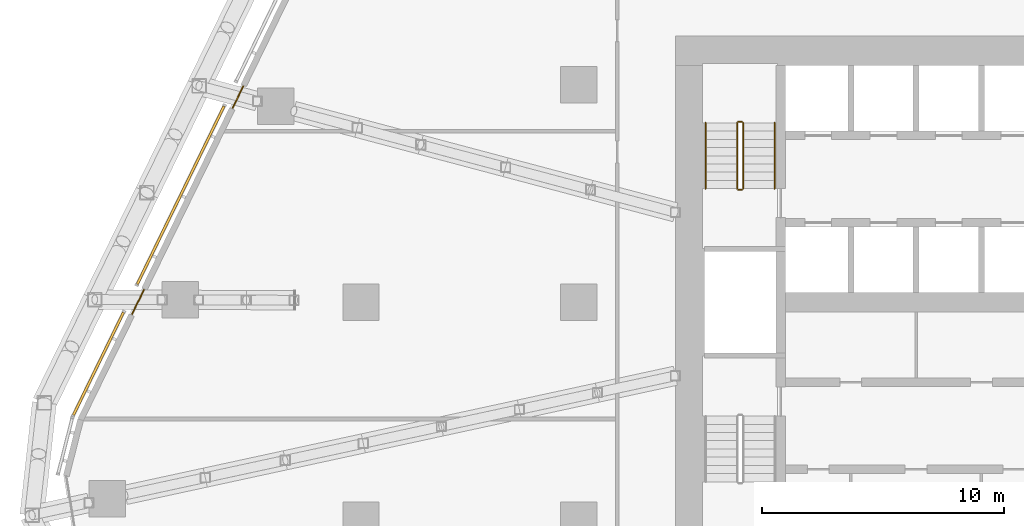
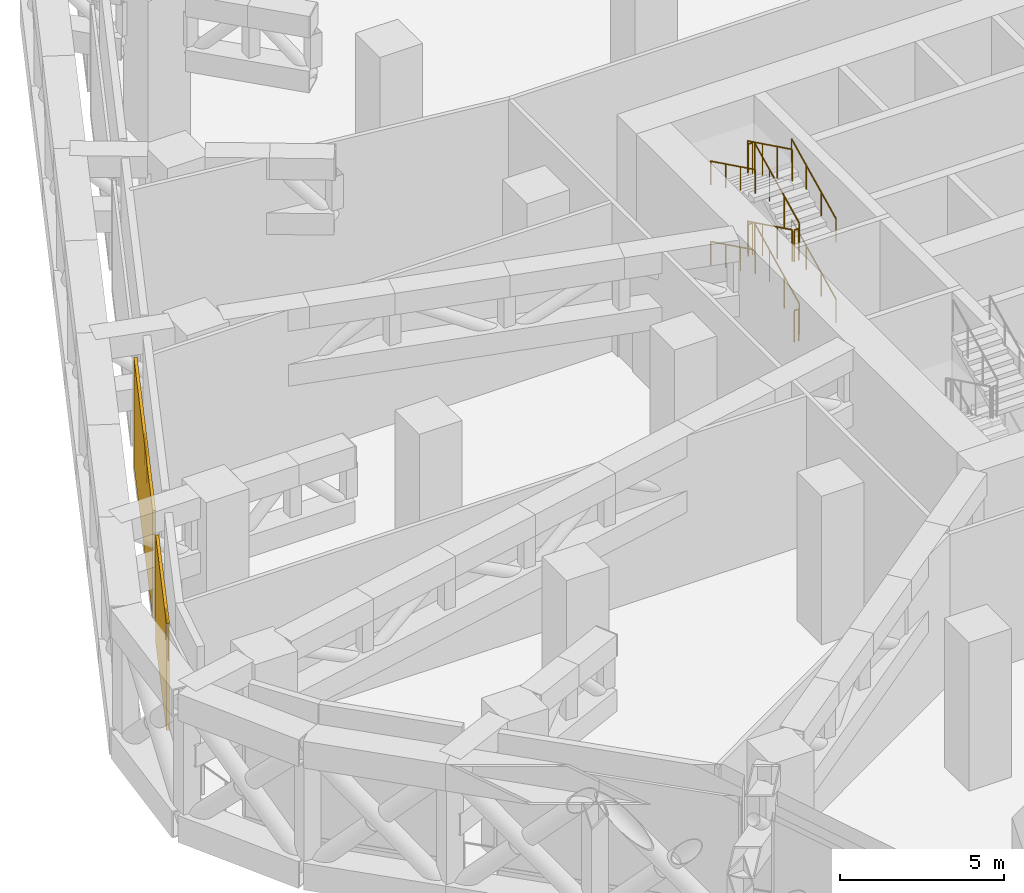
# One storey, part 34 of 38: 14 railings, 2 coverings, 1 element without a shape of its own.
"""IFC4 building model written with IfcOpenShell, lengths in metres."""

from ifc_helpers import new_model, si_unit, direction, frame, origin, origin_2d, place, context, subcontext, project, spatial, rectangle, circle, extrude, material, layer, layer_set, type_object, element, aggregate, save


model = new_model("IFC4")

# Units and contexts
model_context = context("Model", 3, precision=1e-05, world=origin(), true_north=direction((0.0, 1.0)))
body_context = subcontext(model_context, "Body", "Model", "MODEL_VIEW")
ifc_project = project(units=[si_unit("LENGTHUNIT", "METRE"), si_unit("AREAUNIT", "SQUARE_METRE"), si_unit("VOLUMEUNIT", "CUBIC_METRE"), si_unit("PLANEANGLEUNIT", "RADIAN"), si_unit("MASSUNIT", "GRAM", prefix="KILO")], contexts=[model_context])

# Site, building, storey
site_placement = place(None, origin())
site = spatial("IfcSite", under=ifc_project, at=site_placement, CompositionType="ELEMENT")
building_placement = place(site_placement, origin())
building = spatial("IfcBuilding", under=site, at=building_placement, Name="Dongbaek Canopy Tower", CompositionType="ELEMENT")
storey_placement = place(building_placement, frame((0.0, 0.0, 89.199951171875)))
storey = spatial("IfcBuildingStorey", under=building, at=storey_placement, Name="L18", CompositionType="ELEMENT", Elevation=89.199951171875)

# Curtain wall, coverings
ifc_material_1 = material(Name="Aluminium 6063-T6 pale anodised", Category="aluminium")
ifc_layer_1 = layer(ifc_material_1, 0.14990234375)
ifc_layer_set_1 = layer_set([ifc_layer_1], Name="CW-7 louvre curtain wall")
curtain_wall_type = type_object("IfcCurtainWallType", Name="CW-7 louvre curtain wall", PredefinedType="NOTDEFINED", material=ifc_layer_set_1)
curtain_wall_placement = place(storey_placement, origin())
curtain_wall = element("IfcCurtainWall", 1, at=curtain_wall_placement, inside=storey, type_object=curtain_wall_type, Name="CW-7 louvre wall L18 F2", PredefinedType="NOTDEFINED")
ifc_material_2 = material(Name="Aluminium 6063-T6 pale metal louvre blades", Category="aluminium")
ifc_layer_2 = layer(ifc_material_2, 0.10009765625)
ifc_layer_set_2 = layer_set([ifc_layer_2], Name="Louvre LV bank 100 x 4000")
covering_type = type_object("IfcCoveringType", Name="Louvre LV bank 100 x 4000", PredefinedType="CLADDING", material=ifc_layer_set_2)
covering_1_placement = place(storey_placement, frame((-34.450439453125, 4.43017578125, 0.775146484375), z_axis=(0.0, 0.0, 1.0), x_axis=(-0.438327995219, -0.898815091444, 0.0)))
covering_1 = element("IfcCovering", 2, at=covering_1_placement, type_object=covering_type, Name="Louvre L18 F2.4.1", PredefinedType="CLADDING", context=body_context, shape_type="SweptSolid", body=[
    extrude(rectangle(XDim=8.185791015625, YDim=0.10009765625, at=origin_2d()), origin(), (0.0, 0.0, 1.0), 4.0),
])
covering_2_placement = place(storey_placement, frame((-37.84814453125, -2.537109375, 0.775146484375), z_axis=(0.0, 0.0, 1.0), x_axis=(-0.438327995219, -0.898815091444, 0.0)))
covering_2 = element("IfcCovering", 3, at=covering_2_placement, type_object=covering_type, Name="Louvre L18 F2.5.1", PredefinedType="CLADDING", context=body_context, shape_type="SweptSolid", body=[
    extrude(rectangle(XDim=4.72607421875, YDim=0.10009765625, at=origin_2d()), origin(), (0.0, 0.0, 1.0), 4.0),
])
aggregate(curtain_wall, [covering_1, covering_2])

# Railings
ifc_material_3 = material(Name="Stainless steel", Category="steel")
railing_type_1 = type_object("IfcRailingType", Name="Plant opening guard 1200", PredefinedType="GUARDRAIL", material=ifc_material_3)
railing_1_placement = place(storey_placement, frame((-31.869140625, 8.9248046875, 0.0)))
element("IfcRailing", 4, at=railing_1_placement, inside=storey, type_object=railing_type_1, Name="Plant opening guard L18 F2 3", PredefinedType="GUARDRAIL", context=body_context, shape_type="SweptSolid", body=[
    extrude(circle(Radius=0.02392578125, at=origin_2d()), frame((0.0, 0.0, 1.17578125), z_axis=(-0.438355164704, -0.898801841107, 0.0), x_axis=(0.898801841107, -0.438355164704, 0.0)), (0.0, 0.0, 1.0), 0.983642578125),
    extrude(circle(Radius=0.02099609375, at=origin_2d()), origin(), (0.0, 0.0, 1.0), 1.15185546875),
    extrude(circle(Radius=0.02099609375, at=origin_2d()), frame((-0.43115234375, -0.884033203125, 0.0)), (0.0, 0.0, 1.0), 1.15185546875),
])
railing_2_placement = place(storey_placement, frame((-35.971435546875, 0.512451171875, 0.0)))
element("IfcRailing", 5, at=railing_2_placement, inside=storey, type_object=railing_type_1, Name="Plant opening guard L18 F2 4", PredefinedType="GUARDRAIL", context=body_context, shape_type="SweptSolid", body=[
    extrude(circle(Radius=0.02392578125, at=origin_2d()), frame((0.0, 0.0, 1.17578125), z_axis=(-0.438358367145, -0.898800279235, 0.0), x_axis=(0.898800279235, -0.438358367145, 0.0)), (0.0, 0.0, 1.0), 1.10546875),
    extrude(circle(Radius=0.02099609375, at=origin_2d()), origin(), (0.0, 0.0, 1.0), 1.15185546875),
    extrude(circle(Radius=0.02099609375, at=origin_2d()), frame((-0.484619140625, -0.99365234375, 0.0)), (0.0, 0.0, 1.0), 1.15185546875),
])
ifc_material_4 = material(Name="Stainless steel tube and balusters", Category="steel")
railing_type_2 = type_object("IfcRailingType", Name="Stair guard 1200", PredefinedType="GUARDRAIL", material=ifc_material_4)
railing_3_placement = place(storey_placement, frame((-11.199951171875, 4.699951171875, 0.166748046875)))
element("IfcRailing", 6, at=railing_3_placement, inside=storey, type_object=railing_type_2, Name="L18 ST-C stair guard 1", PredefinedType="GUARDRAIL", context=body_context, shape_type="SweptSolid", body=[
    extrude(circle(Radius=0.02392578125, at=origin_2d()), frame((0.0, 0.0, 1.17578125), z_axis=(0.0, 0.897929466783, 0.4401393787), x_axis=(-1.0, 0.0, 0.0)), (0.0, 0.0, 1.0), 3.029052734375),
    extrude(circle(Radius=0.02099609375, at=origin_2d()), origin(), (0.0, 0.0, 1.0), 1.15185546875),
    extrude(circle(Radius=0.02099609375, at=origin_2d()), frame((0.0, 0.90673828125, 0.4443359375)), (0.0, 0.0, 1.0), 1.15185546875),
    extrude(circle(Radius=0.02099609375, at=origin_2d()), frame((0.0, 1.813232421875, 0.888916015625)), (0.0, 0.0, 1.0), 1.15185546875),
    extrude(circle(Radius=0.02099609375, at=origin_2d()), frame((0.0, 2.719970703125, 1.333251953125)), (0.0, 0.0, 1.0), 1.15185546875),
])
railing_4_placement = place(storey_placement, frame((-11.25, 7.469970703125, 1.5)))
element("IfcRailing", 7, at=railing_4_placement, inside=storey, type_object=railing_type_2, Name="L18 ST-C stair guard 2", PredefinedType="GUARDRAIL", context=body_context, shape_type="SweptSolid", body=[
    extrude(circle(Radius=0.02392578125, at=origin_2d()), frame((0.0, 0.0, 1.17578125), z_axis=(-1.0, 0.0, 0.0), x_axis=(0.0, -1.0, 0.0)), (0.0, 0.0, 1.0), 0.14990234375),
    extrude(circle(Radius=0.02099609375, at=origin_2d()), origin(), (0.0, 0.0, 1.0), 1.15185546875),
    extrude(circle(Radius=0.02099609375, at=origin_2d()), frame((-0.14990234375, 0.0, 0.0)), (0.0, 0.0, 1.0), 1.15185546875),
])
railing_5_placement = place(storey_placement, frame((-11.449951171875, 7.419921875, 1.666748046875)))
element("IfcRailing", 8, at=railing_5_placement, inside=storey, type_object=railing_type_2, Name="L18 ST-C stair guard 3", PredefinedType="GUARDRAIL", context=body_context, shape_type="SweptSolid", body=[
    extrude(circle(Radius=0.02392578125, at=origin_2d()), frame((0.0, 0.0, 1.17578125), z_axis=(0.0, -0.897929466783, 0.4401393787), x_axis=(1.0, 0.0, 0.0)), (0.0, 0.0, 1.0), 3.029052734375),
    extrude(circle(Radius=0.02099609375, at=origin_2d()), origin(), (0.0, 0.0, 1.0), 1.15185546875),
    extrude(circle(Radius=0.02099609375, at=origin_2d()), frame((0.0, -0.90673828125, 0.4443359375)), (0.0, 0.0, 1.0), 1.15185546875),
    extrude(circle(Radius=0.02099609375, at=origin_2d()), frame((0.0, -1.813232421875, 0.888916015625)), (0.0, 0.0, 1.0), 1.15185546875),
    extrude(circle(Radius=0.02099609375, at=origin_2d()), frame((0.0, -2.719970703125, 1.333251953125)), (0.0, 0.0, 1.0), 1.15185546875),
])
railing_6_placement = place(storey_placement, frame((-11.25, 4.64990234375, 3.0)))
element("IfcRailing", 9, at=railing_6_placement, inside=storey, type_object=railing_type_2, Name="L18 ST-C stair guard 4", PredefinedType="GUARDRAIL", context=body_context, shape_type="SweptSolid", body=[
    extrude(circle(Radius=0.02392578125, at=origin_2d()), frame((0.0, 0.0, 1.17578125), z_axis=(-1.0, 0.0, 0.0), x_axis=(0.0, -1.0, 0.0)), (0.0, 0.0, 1.0), 0.14990234375),
    extrude(circle(Radius=0.02099609375, at=origin_2d()), origin(), (0.0, 0.0, 1.0), 1.15185546875),
    extrude(circle(Radius=0.02099609375, at=origin_2d()), frame((-0.14990234375, 0.0, 0.0)), (0.0, 0.0, 1.0), 1.15185546875),
])
railing_7_placement = place(storey_placement, frame((-11.199951171875, 4.699951171875, 3.166748046875)))
element("IfcRailing", 10, at=railing_7_placement, inside=storey, type_object=railing_type_2, Name="L18 ST-C stair guard 5", PredefinedType="GUARDRAIL", context=body_context, shape_type="SweptSolid", body=[
    extrude(circle(Radius=0.02392578125, at=origin_2d()), frame((0.0, 0.0, 1.17578125), z_axis=(0.0, 0.897929466783, 0.4401393787), x_axis=(-1.0, 0.0, 0.0)), (0.0, 0.0, 1.0), 3.029052734375),
    extrude(circle(Radius=0.02099609375, at=origin_2d()), origin(), (0.0, 0.0, 1.0), 1.15185546875),
    extrude(circle(Radius=0.02099609375, at=origin_2d()), frame((0.0, 0.90673828125, 0.4443359375)), (0.0, 0.0, 1.0), 1.15185546875),
    extrude(circle(Radius=0.02099609375, at=origin_2d()), frame((0.0, 1.813232421875, 0.888916015625)), (0.0, 0.0, 1.0), 1.15185546875),
    extrude(circle(Radius=0.02099609375, at=origin_2d()), frame((0.0, 2.719970703125, 1.333251953125)), (0.0, 0.0, 1.0), 1.15185546875),
])
railing_8_placement = place(storey_placement, frame((-11.25, 7.469970703125, 4.5)))
element("IfcRailing", 11, at=railing_8_placement, inside=storey, type_object=railing_type_2, Name="L18 ST-C stair guard 6", PredefinedType="GUARDRAIL", context=body_context, shape_type="SweptSolid", body=[
    extrude(circle(Radius=0.02392578125, at=origin_2d()), frame((0.0, 0.0, 1.17578125), z_axis=(-1.0, 0.0, 0.0), x_axis=(0.0, -1.0, 0.0)), (0.0, 0.0, 1.0), 0.14990234375),
    extrude(circle(Radius=0.02099609375, at=origin_2d()), origin(), (0.0, 0.0, 1.0), 1.15185546875),
    extrude(circle(Radius=0.02099609375, at=origin_2d()), frame((-0.14990234375, 0.0, 0.0)), (0.0, 0.0, 1.0), 1.15185546875),
])
railing_9_placement = place(storey_placement, frame((-11.449951171875, 7.419921875, 4.666748046875)))
element("IfcRailing", 12, at=railing_9_placement, inside=storey, type_object=railing_type_2, Name="L18 ST-C stair guard 7", PredefinedType="GUARDRAIL", context=body_context, shape_type="SweptSolid", body=[
    extrude(circle(Radius=0.02392578125, at=origin_2d()), frame((0.0, 0.0, 1.17578125), z_axis=(0.0, -0.897929466783, 0.4401393787), x_axis=(1.0, 0.0, 0.0)), (0.0, 0.0, 1.0), 3.029052734375),
    extrude(circle(Radius=0.02099609375, at=origin_2d()), origin(), (0.0, 0.0, 1.0), 1.15185546875),
    extrude(circle(Radius=0.02099609375, at=origin_2d()), frame((0.0, -0.90673828125, 0.4443359375)), (0.0, 0.0, 1.0), 1.15185546875),
    extrude(circle(Radius=0.02099609375, at=origin_2d()), frame((0.0, -1.813232421875, 0.888916015625)), (0.0, 0.0, 1.0), 1.15185546875),
    extrude(circle(Radius=0.02099609375, at=origin_2d()), frame((0.0, -2.719970703125, 1.333251953125)), (0.0, 0.0, 1.0), 1.15185546875),
])
railing_10_placement = place(storey_placement, frame((-11.25, 4.64990234375, 0.0)))
element("IfcRailing", 13, at=railing_10_placement, inside=storey, type_object=railing_type_2, Name="L18 ST-C stair guard 8", PredefinedType="GUARDRAIL", context=body_context, shape_type="SweptSolid", body=[
    extrude(circle(Radius=0.02392578125, at=origin_2d()), frame((0.0, 0.0, 1.17578125), z_axis=(-1.0, 0.0, 0.0), x_axis=(0.0, -1.0, 0.0)), (0.0, 0.0, 1.0), 0.14990234375),
    extrude(circle(Radius=0.02099609375, at=origin_2d()), origin(), (0.0, 0.0, 1.0), 1.15185546875),
    extrude(circle(Radius=0.02099609375, at=origin_2d()), frame((-0.14990234375, 0.0, 0.0)), (0.0, 0.0, 1.0), 1.15185546875),
])
ifc_material_5 = material(Name="Stainless steel tube", Category="steel")
railing_type_3 = type_object("IfcRailingType", Name="Stair handrail 900", PredefinedType="HANDRAIL", material=ifc_material_5)
railing_11_placement = place(storey_placement, frame((-9.89990234375, 4.699951171875, 0.166748046875)))
element("IfcRailing", 14, at=railing_11_placement, inside=storey, type_object=railing_type_3, Name="L18 ST-C stair handrail 1", PredefinedType="HANDRAIL", context=body_context, shape_type="SweptSolid", body=[
    extrude(circle(Radius=0.02392578125, at=origin_2d()), frame((0.0, 0.0, 0.8759765625), z_axis=(0.0, 0.897929466783, 0.4401393787), x_axis=(-1.0, 0.0, 0.0)), (0.0, 0.0, 1.0), 3.029052734375),
    extrude(circle(Radius=0.02099609375, at=origin_2d()), origin(), (0.0, 0.0, 1.0), 0.851806640625),
    extrude(circle(Radius=0.02099609375, at=origin_2d()), frame((0.0, 0.90673828125, 0.4443359375)), (0.0, 0.0, 1.0), 0.851806640625),
    extrude(circle(Radius=0.02099609375, at=origin_2d()), frame((0.0, 1.813232421875, 0.888916015625)), (0.0, 0.0, 1.0), 0.851806640625),
    extrude(circle(Radius=0.02099609375, at=origin_2d()), frame((0.0, 2.719970703125, 1.333251953125)), (0.0, 0.0, 1.0), 0.851806640625),
])
railing_12_placement = place(storey_placement, frame((-12.75, 7.419921875, 1.666748046875)))
element("IfcRailing", 15, at=railing_12_placement, inside=storey, type_object=railing_type_3, Name="L18 ST-C stair handrail 2", PredefinedType="HANDRAIL", context=body_context, shape_type="SweptSolid", body=[
    extrude(circle(Radius=0.02392578125, at=origin_2d()), frame((0.0, 0.0, 0.8759765625), z_axis=(0.0, -0.897929466783, 0.4401393787), x_axis=(1.0, 0.0, 0.0)), (0.0, 0.0, 1.0), 3.029052734375),
    extrude(circle(Radius=0.02099609375, at=origin_2d()), origin(), (0.0, 0.0, 1.0), 0.851806640625),
    extrude(circle(Radius=0.02099609375, at=origin_2d()), frame((0.0, -0.90673828125, 0.4443359375)), (0.0, 0.0, 1.0), 0.851806640625),
    extrude(circle(Radius=0.02099609375, at=origin_2d()), frame((0.0, -1.813232421875, 0.888916015625)), (0.0, 0.0, 1.0), 0.851806640625),
    extrude(circle(Radius=0.02099609375, at=origin_2d()), frame((0.0, -2.719970703125, 1.333251953125)), (0.0, 0.0, 1.0), 0.851806640625),
])
railing_13_placement = place(storey_placement, frame((-9.89990234375, 4.699951171875, 3.166748046875)))
element("IfcRailing", 16, at=railing_13_placement, inside=storey, type_object=railing_type_3, Name="L18 ST-C stair handrail 3", PredefinedType="HANDRAIL", context=body_context, shape_type="SweptSolid", body=[
    extrude(circle(Radius=0.02392578125, at=origin_2d()), frame((0.0, 0.0, 0.8759765625), z_axis=(0.0, 0.897929466783, 0.4401393787), x_axis=(-1.0, 0.0, 0.0)), (0.0, 0.0, 1.0), 3.029052734375),
    extrude(circle(Radius=0.02099609375, at=origin_2d()), origin(), (0.0, 0.0, 1.0), 0.851806640625),
    extrude(circle(Radius=0.02099609375, at=origin_2d()), frame((0.0, 0.90673828125, 0.4443359375)), (0.0, 0.0, 1.0), 0.851806640625),
    extrude(circle(Radius=0.02099609375, at=origin_2d()), frame((0.0, 1.813232421875, 0.888916015625)), (0.0, 0.0, 1.0), 0.851806640625),
    extrude(circle(Radius=0.02099609375, at=origin_2d()), frame((0.0, 2.719970703125, 1.333251953125)), (0.0, 0.0, 1.0), 0.851806640625),
])
railing_14_placement = place(storey_placement, frame((-12.75, 7.419921875, 4.666748046875)))
element("IfcRailing", 17, at=railing_14_placement, inside=storey, type_object=railing_type_3, Name="L18 ST-C stair handrail 4", PredefinedType="HANDRAIL", context=body_context, shape_type="SweptSolid", body=[
    extrude(circle(Radius=0.02392578125, at=origin_2d()), frame((0.0, 0.0, 0.8759765625), z_axis=(0.0, -0.897929466783, 0.4401393787), x_axis=(1.0, 0.0, 0.0)), (0.0, 0.0, 1.0), 3.029052734375),
    extrude(circle(Radius=0.02099609375, at=origin_2d()), origin(), (0.0, 0.0, 1.0), 0.851806640625),
    extrude(circle(Radius=0.02099609375, at=origin_2d()), frame((0.0, -0.90673828125, 0.4443359375)), (0.0, 0.0, 1.0), 0.851806640625),
    extrude(circle(Radius=0.02099609375, at=origin_2d()), frame((0.0, -1.813232421875, 0.888916015625)), (0.0, 0.0, 1.0), 0.851806640625),
    extrude(circle(Radius=0.02099609375, at=origin_2d()), frame((0.0, -2.719970703125, 1.333251953125)), (0.0, 0.0, 1.0), 0.851806640625),
])

save(model, "model.ifc")
